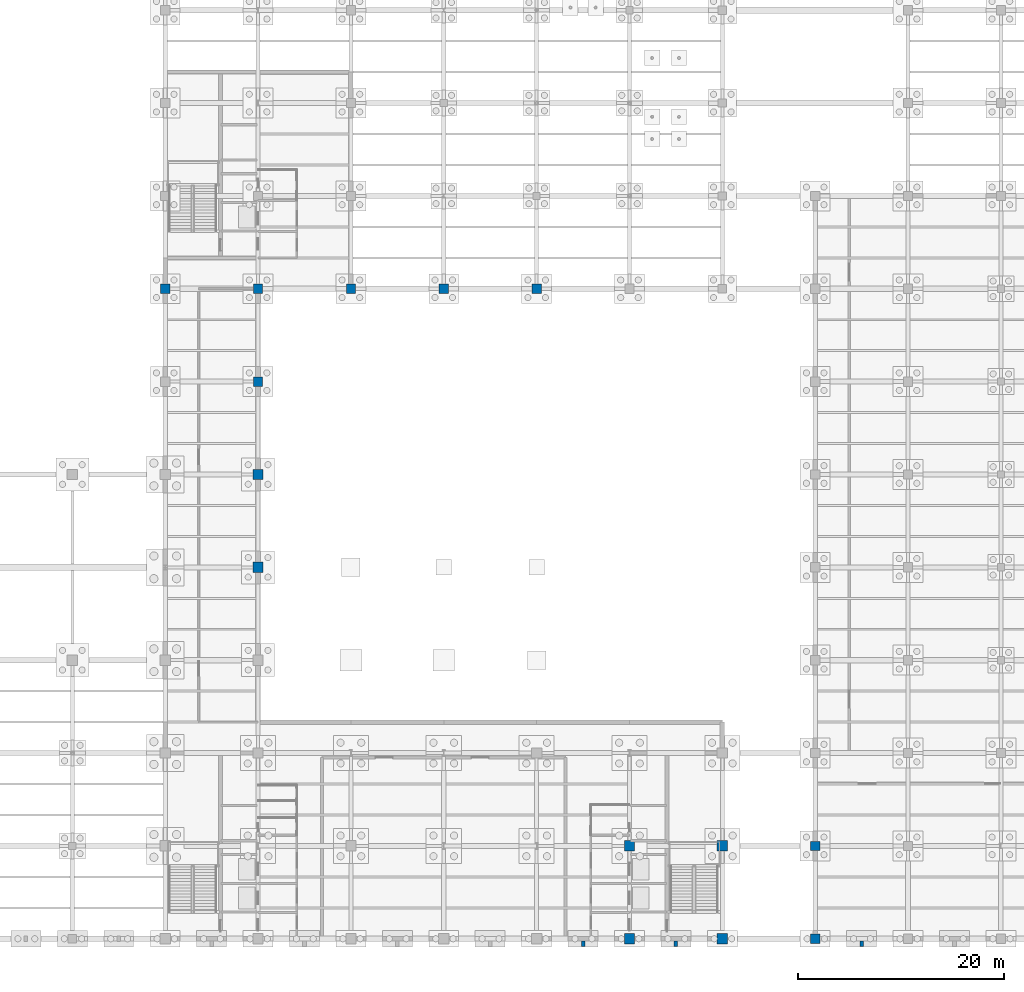
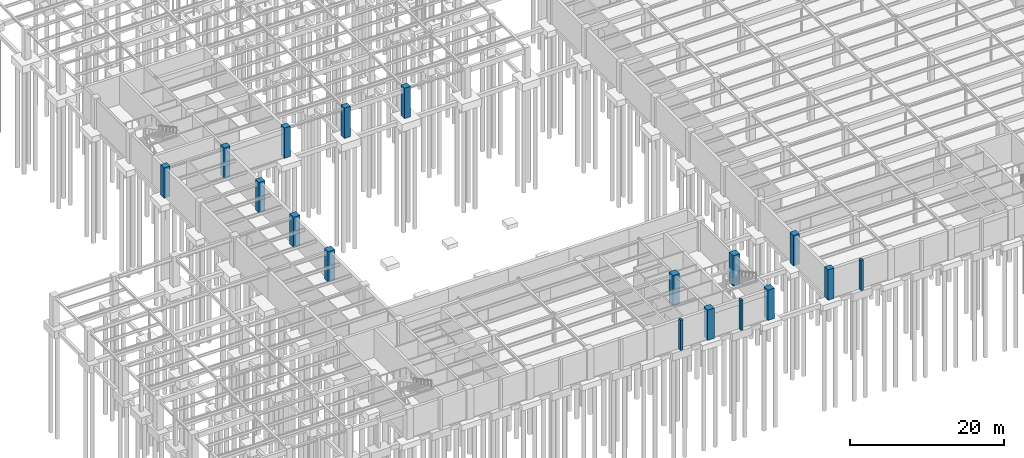
# One storey, part 14 of 49: 17 columns.
"""IFC4 building model written with IfcOpenShell, lengths in metres."""

import ifcopenshell
import ifcopenshell.guid

model = None  # the IFC model being written
_history = None  # IfcOwnerHistory: only IFC2X3 demands one
_inside = {}  # id of a spatial element -> (the spatial element, [elements in it])
_under = {}  # id of a project, library or spatial element -> (it, [spatial elements below it])
_declared = {}  # id of a project -> (the project, [libraries it declares])
_typed = {}  # id of a type object -> (the type object, [elements of that type])
_made_of = {}  # id of a material, layer set ... -> (it, [elements and type objects made of it])


def new_model(schema):
    """Start an empty IFC model of exactly this schema.

    Asked for "IFC4X3", IfcOpenShell would pick the latest addendum, in which some entities
    have other attributes; the version numbers below select the first issue.
    IFC2X3 requires an IfcOwnerHistory on every rooted entity: one is made here for all.
    """
    global model, _history
    if schema == "IFC4X3":
        model = ifcopenshell.file(schema_version=(4, 3, 0, 0))
    else:
        model = ifcopenshell.file(schema=schema)
    _inside.clear()
    _under.clear()
    _declared.clear()
    _typed.clear()
    _made_of.clear()
    _history = None
    if model.schema == "IFC2X3":
        org = make("IfcOrganization", Name="unknown")
        user = make(
            "IfcPersonAndOrganization",
            ThePerson=make("IfcPerson", FamilyName="unknown"),
            TheOrganization=org,
        )
        app = make(
            "IfcApplication",
            ApplicationDeveloper=org,
            Version="unknown",
            ApplicationFullName="unknown",
            ApplicationIdentifier="unknown",
        )
        _history = make(
            "IfcOwnerHistory",
            OwningUser=user,
            OwningApplication=app,
            ChangeAction="ADDED",
            CreationDate=0,
        )
    return model


def make(cls, **values):
    """One entity of the class cls with the attributes given. An attribute that is None is left unset."""
    return model.create_entity(
        cls, **{name: value for name, value in values.items() if value is not None}
    )


def rooted(cls, **values):
    """An entity with a GlobalId (a new one), such as an element, a storey or a relation."""
    return make(cls, GlobalId=ifcopenshell.guid.new(), OwnerHistory=_history, **values)


def si_unit(unit_type, name, prefix=None):
    """IfcSIUnit, for example si_unit("LENGTHUNIT", "METRE", prefix="MILLI")."""
    return make("IfcSIUnit", UnitType=unit_type, Prefix=prefix, Name=name)


def assignment(units):
    """IfcUnitAssignment: the units of a project."""
    return None if units is None else make("IfcUnitAssignment", Units=units)


def point(xyz):
    """IfcCartesianPoint."""
    return None if xyz is None else make("IfcCartesianPoint", Coordinates=xyz)


def direction(xyz):
    """IfcDirection."""
    return None if xyz is None else make("IfcDirection", DirectionRatios=xyz)


def frame(location, z_axis=None, x_axis=None):
    """IfcAxis2Placement3D, a coordinate frame: its origin and axes. An axis left out is left unset."""
    return make(
        "IfcAxis2Placement3D",
        Location=point(location),
        Axis=direction(z_axis),
        RefDirection=direction(x_axis),
    )


def frame_2d(location, x_axis=None):
    """IfcAxis2Placement2D, a coordinate frame in the plane: its origin and x axis."""
    return make(
        "IfcAxis2Placement2D", Location=point(location), RefDirection=direction(x_axis)
    )


def origin():
    """The frame at (0, 0, 0) with its axes left unset."""
    return frame((0.0, 0.0, 0.0))


def origin_2d():
    """The frame at (0, 0) in the plane with its x axis left unset."""
    return frame_2d((0.0, 0.0))


def place(relative_to, where):
    """IfcLocalPlacement: puts the frame where relative to a parent placement (None: the world)."""
    return make(
        "IfcLocalPlacement", PlacementRelTo=relative_to, RelativePlacement=where
    )


def context(
    kind, dimensions, precision=None, world=None, true_north=None, identifier=None
):
    """IfcGeometricRepresentationContext, for example the 3D "Model" context."""
    return make(
        "IfcGeometricRepresentationContext",
        ContextIdentifier=identifier,
        ContextType=kind,
        CoordinateSpaceDimension=dimensions,
        Precision=precision,
        WorldCoordinateSystem=world,
        TrueNorth=true_north,
    )


def subcontext(parent, identifier, kind, view, scale=None):
    """IfcGeometricRepresentationSubContext, for example "Body" below "Model"."""
    return make(
        "IfcGeometricRepresentationSubContext",
        ContextIdentifier=identifier,
        ContextType=kind,
        ParentContext=parent,
        TargetScale=scale,
        TargetView=view,
    )


def project(units=None, contexts=None):
    """IfcProject with its units and contexts."""
    return rooted(
        "IfcProject",
        Name="project",
        RepresentationContexts=contexts,
        UnitsInContext=assignment(units),
    )


def spatial(cls, under=None, at=None, **own):
    """A site, building, storey or space (cls), placed at a placement, below another one or the project."""
    s = rooted(cls, ObjectPlacement=at, **own)
    if under is not None:
        _under.setdefault(under.id(), (under, []))[1].append(s)
    return s


def profile(cls, at=None, kind="AREA", **sizes):
    """A parametric profile (cls). Its sizes go by their IFC names, for example OverallWidth=200.0."""
    return make(cls, ProfileType=kind, Position=at, **sizes)


def rectangle(**sizes):
    """IfcRectangleProfileDef."""
    return profile("IfcRectangleProfileDef", **sizes)


def extrude(swept, where, along, depth):
    """IfcExtrudedAreaSolid: the profile swept, set in the frame where, extruded along a direction by depth."""
    return make(
        "IfcExtrudedAreaSolid",
        SweptArea=swept,
        Position=where,
        ExtrudedDirection=direction(along),
        Depth=depth,
    )


def shape(context_of_items, identifier, shape_type, items):
    """IfcShapeRepresentation: the items that make up one representation, for example the "Body"."""
    return make(
        "IfcShapeRepresentation",
        ContextOfItems=context_of_items,
        RepresentationIdentifier=identifier,
        RepresentationType=shape_type,
        Items=items,
    )


def material(Name=None, Category=None):
    """IfcMaterial."""
    return make("IfcMaterial", Name=Name, Category=Category)


def material_profile(
    of_material, cross_section, Name=None, Category=None, Priority=None
):
    """IfcMaterialProfile: a cross section and its material."""
    return make(
        "IfcMaterialProfile",
        Name=Name,
        Material=of_material,
        Profile=cross_section,
        Priority=Priority,
        Category=Category,
    )


def profile_set(profiles, Name=None, composite=None):
    """IfcMaterialProfileSet."""
    return make(
        "IfcMaterialProfileSet",
        Name=Name,
        MaterialProfiles=profiles,
        CompositeProfile=composite,
    )


def made_of(thing, what):
    """Note that an element or type object is made of a material, layer set ...; save() writes the relation."""
    if what is not None:
        _made_of.setdefault(what.id(), (what, []))[1].append(thing)
    return thing


def type_object(cls, material=None, **own):
    """A type object (cls), such as IfcWallType, which elements share."""
    return made_of(rooted(cls, **own), material)


def element(
    cls,
    number,
    at=None,
    inside=None,
    cuts=None,
    type_object=None,
    material=None,
    context=None,
    identifier="Body",
    shape_type=None,
    held_by="IfcProductDefinitionShape",
    body=None,
    shapes=None,
    **own,
):
    """One element of the class cls, such as IfcWall. Its Tag is "e" and its number.

    at: its placement. inside: the storey or other place that contains it. cuts: it is an
    opening in that element (IfcRelVoidsElement). A single representation is given by context,
    identifier, shape_type and body (its items); several are given by shapes. held_by: the class
    of the entity that holds the representations. save() writes the other relations.
    """
    e = rooted(cls, Tag="e%d" % number, ObjectPlacement=at, **own)
    if body is not None:
        shapes = [shape(context, identifier, shape_type, body)]
    if shapes is not None:
        e.Representation = make(held_by, Representations=shapes)
    if inside is not None:
        _inside.setdefault(inside.id(), (inside, []))[1].append(e)
    if cuts is not None:
        rooted(
            "IfcRelVoidsElement", RelatingBuildingElement=cuts, RelatedOpeningElement=e
        )
    if type_object is not None:
        _typed.setdefault(type_object.id(), (type_object, []))[1].append(e)
    return made_of(e, material)


def aggregate(whole, parts):
    """IfcRelAggregates: a whole, such as a stair, and the parts it consists of."""
    return rooted("IfcRelAggregates", RelatingObject=whole, RelatedObjects=parts)


def save(model, path):
    """Write the relations noted so far, then the file.

    IfcRelAggregates (storeys below a building ...), IfcRelContainedInSpatialStructure (elements
    in a storey), IfcRelDefinesByType, IfcRelAssociatesMaterial and IfcRelDeclares: one each for
    every whole, place, type object, material and project.
    """
    for whole, parts in _under.values():
        aggregate(whole, parts)
    for where, things in _inside.values():
        rooted(
            "IfcRelContainedInSpatialStructure",
            RelatedElements=things,
            RelatingStructure=where,
        )
    for kind, things in _typed.values():
        rooted("IfcRelDefinesByType", RelatedObjects=things, RelatingType=kind)
    for what, things in _made_of.values():
        rooted("IfcRelAssociatesMaterial", RelatedObjects=things, RelatingMaterial=what)
    for by, libraries in _declared.values():
        rooted("IfcRelDeclares", RelatingContext=by, RelatedDefinitions=libraries)
    model.write(path)


model = new_model("IFC4")

# Units and contexts
model_context = context("Model", 3, precision=1e-05, world=origin(), true_north=direction((0.0, 1.0)))
body_context = subcontext(model_context, "Body", "Model", "MODEL_VIEW")
ifc_project = project(units=[si_unit("LENGTHUNIT", "METRE"), si_unit("AREAUNIT", "SQUARE_METRE"), si_unit("VOLUMEUNIT", "CUBIC_METRE"), si_unit("PLANEANGLEUNIT", "RADIAN"), si_unit("MASSUNIT", "GRAM", prefix="KILO")], contexts=[model_context])

# Site, building, storey
site_placement = place(None, origin())
site = spatial("IfcSite", under=ifc_project, at=site_placement, CompositionType="ELEMENT")
building_placement = place(site_placement, origin())
building = spatial("IfcBuilding", under=site, at=building_placement, Name="Lykobir Media Centre", CompositionType="ELEMENT")
storey_placement = place(building_placement, frame((0.0, 0.0, -4.800048828125)))
storey = spatial("IfcBuildingStorey", under=building, at=storey_placement, Name="B1", CompositionType="ELEMENT", Elevation=-4.800048828125)

# Columns
ifc_material_1 = material(Name="Honed Travertine Stone", Category="masonry")
ifc_material_profile_1 = material_profile(ifc_material_1, rectangle(XDim=0.35009765625, YDim=0.5, at=origin_2d()), Name="RC PILASTER 500x350")
ifc_profile_set_1 = profile_set([ifc_material_profile_1], Name="Honed Travertine Stone")
column_type_1 = type_object("IfcColumnType", Name="PIL-500", PredefinedType="PILASTER", material=ifc_profile_set_1)
for number, where, z_axis, x_axis, name in (
    (1, (67.5, -0.47998046875, 0.0), (0.0, 0.0, 1.0), (1.0, 0.0, 0.0), "South Revak B1 pier 67.5"),
    (2, (76.5, -0.47998046875, 0.0), (0.0, 0.0, 1.0), (1.0, 0.0, 0.0), "South Revak B1 pier 76.5"),
    (3, (94.5, -0.47998046875, 0.0), (0.0, 0.0, 1.0), (1.0, 0.0, 0.0), "South Revak B1 pier 94.5"),
):
    element("IfcColumn", number, at=place(storey_placement, frame(where, z_axis=z_axis, x_axis=x_axis)), inside=storey, type_object=column_type_1, Name=name, PredefinedType="PILASTER", context=body_context, shape_type="SweptSolid", body=[
        extrude(rectangle(XDim=0.35009765625, YDim=0.5, at=origin_2d()), origin(), (0.0, 0.0, 1.0), 4.800048828125),
    ])
ifc_material_2 = material(Name="Concrete C40/50", Category="concrete")
ifc_material_profile_2 = material_profile(ifc_material_2, rectangle(XDim=1.0, YDim=1.0, at=origin_2d()), Name="RC 1000x1000")
ifc_profile_set_2 = profile_set([ifc_material_profile_2], Name="Concrete C40/50")
column_type_2 = type_object("IfcColumnType", Name="RC-C1000", PredefinedType="COLUMN", material=ifc_profile_set_2)
for number, where, z_axis, x_axis, name in (
    (4, (36.0, 36.0, 0.0), (0.0, 0.0, 1.0), (1.0, 0.0, 0.0), "Column COL-B1-0360-0360"),
    (5, (36.0, 45.0, 0.0), (0.0, 0.0, 1.0), (1.0, 0.0, 0.0), "Column COL-B1-0360-0450"),
    (6, (72.0, 9.0, 0.0), (0.0, 0.0, 1.0), (1.0, 0.0, 0.0), "Column COL-B1-0720-0090"),
):
    element("IfcColumn", number, at=place(storey_placement, frame(where, z_axis=z_axis, x_axis=x_axis)), inside=storey, type_object=column_type_2, Name=name, PredefinedType="COLUMN", context=body_context, shape_type="SweptSolid", body=[
        extrude(rectangle(XDim=1.0, YDim=1.0, at=origin_2d()), origin(), (0.0, 0.0, 1.0), 4.800048828125),
    ])
ifc_material_profile_3 = material_profile(ifc_material_2, rectangle(XDim=1.0, YDim=1.0, at=origin_2d()), Name="RC 1000x1000")
ifc_profile_set_3 = profile_set([ifc_material_profile_3], Name="Concrete C40/50")
column_type_3 = type_object("IfcColumnType", Name="RC-C1000-E", PredefinedType="COLUMN", material=ifc_profile_set_3)
for number, where, z_axis, x_axis, name in (
    (7, (72.0, 0.0, 0.0), (0.0, 0.0, 1.0), (1.0, 0.0, 0.0), "Column COL-B1-0720-0000"),
    (8, (81.0, 0.0, 0.0), (0.0, 0.0, 1.0), (1.0, 0.0, 0.0), "Column COL-B1-0810-0000"),
    (9, (81.0, 9.0, 0.0), (0.0, 0.0, 1.0), (1.0, 0.0, 0.0), "Column COL-B1-0810-0090"),
):
    element("IfcColumn", number, at=place(storey_placement, frame(where, z_axis=z_axis, x_axis=x_axis)), inside=storey, type_object=column_type_3, Name=name, PredefinedType="COLUMN", context=body_context, shape_type="SweptSolid", body=[
        extrude(rectangle(XDim=1.0, YDim=1.0, at=origin_2d()), origin(), (0.0, 0.0, 1.0), 4.800048828125),
    ])
ifc_material_profile_4 = material_profile(ifc_material_2, rectangle(XDim=0.89990234375, YDim=0.89990234375, at=origin_2d()), Name="RC 900x900")
ifc_profile_set_4 = profile_set([ifc_material_profile_4], Name="Concrete C40/50")
column_type_4 = type_object("IfcColumnType", Name="RC-C900", PredefinedType="COLUMN", material=ifc_profile_set_4)
for number, where, z_axis, x_axis, name in (
    (10, (27.0, 63.0, 0.0), (0.0, 0.0, 1.0), (1.0, 0.0, 0.0), "Column COL-B1-0270-0630"),
    (11, (36.0, 54.0, 0.0), (0.0, 0.0, 1.0), (1.0, 0.0, 0.0), "Column COL-B1-0360-0540"),
    (12, (36.0, 63.0, 0.0), (0.0, 0.0, 1.0), (1.0, 0.0, 0.0), "Column COL-B1-0360-0630"),
    (13, (45.0, 63.0, 0.0), (0.0, 0.0, 1.0), (1.0, 0.0, 0.0), "Column COL-B1-0450-0630"),
    (14, (54.0, 63.0, 0.0), (0.0, 0.0, 1.0), (1.0, 0.0, 0.0), "Column COL-B1-0540-0630"),
    (15, (63.0, 63.0, 0.0), (0.0, 0.0, 1.0), (1.0, 0.0, 0.0), "Column COL-B1-0630-0630"),
):
    element("IfcColumn", number, at=place(storey_placement, frame(where, z_axis=z_axis, x_axis=x_axis)), inside=storey, type_object=column_type_4, Name=name, PredefinedType="COLUMN", context=body_context, shape_type="SweptSolid", body=[
        extrude(rectangle(XDim=0.89990234375, YDim=0.89990234375, at=origin_2d()), origin(), (0.0, 0.0, 1.0), 4.800048828125),
    ])
ifc_material_profile_5 = material_profile(ifc_material_2, rectangle(XDim=0.89990234375, YDim=0.89990234375, at=origin_2d()), Name="RC 900x900")
ifc_profile_set_5 = profile_set([ifc_material_profile_5], Name="Concrete C40/50")
column_type_5 = type_object("IfcColumnType", Name="RC-C900-E", PredefinedType="COLUMN", material=ifc_profile_set_5)
for number, where, z_axis, x_axis, name in (
    (16, (90.0, 0.0, 0.0), (0.0, 0.0, 1.0), (1.0, 0.0, 0.0), "Column COL-B1-0900-0000"),
    (17, (90.0, 9.0, 0.0), (0.0, 0.0, 1.0), (1.0, 0.0, 0.0), "Column COL-B1-0900-0090"),
):
    element("IfcColumn", number, at=place(storey_placement, frame(where, z_axis=z_axis, x_axis=x_axis)), inside=storey, type_object=column_type_5, Name=name, PredefinedType="COLUMN", context=body_context, shape_type="SweptSolid", body=[
        extrude(rectangle(XDim=0.89990234375, YDim=0.89990234375, at=origin_2d()), origin(), (0.0, 0.0, 1.0), 4.800048828125),
    ])

save(model, "model.ifc")
